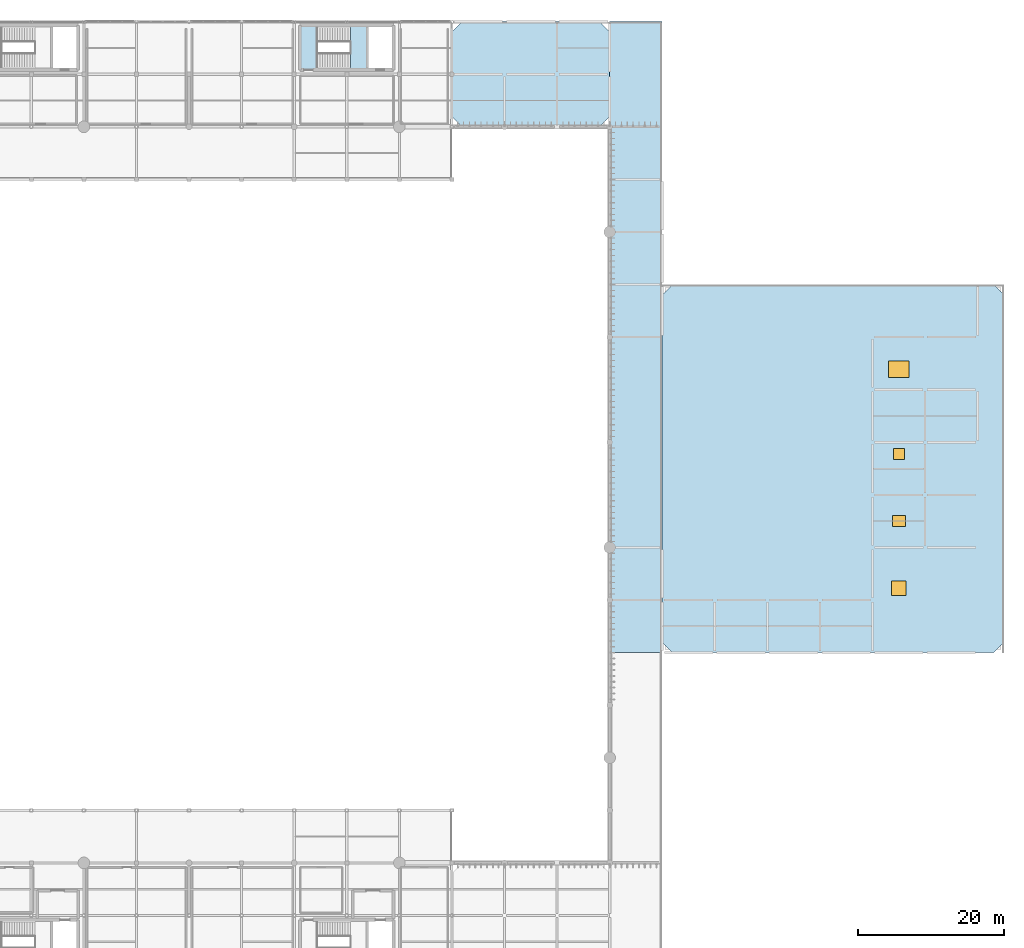
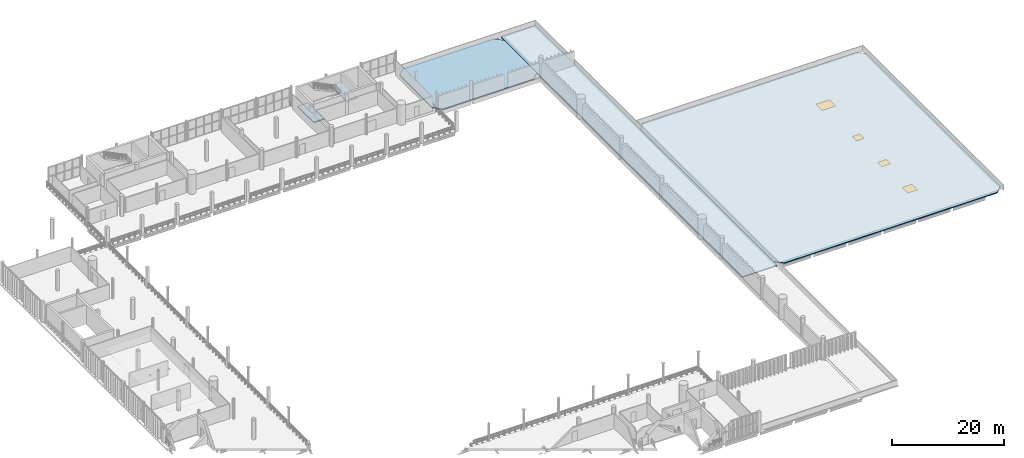
# One storey, part 55 of 81: 5 slabs, 4 windows, 4 openings, 1 element without a shape of its own.
"""IFC4 building model written with IfcOpenShell, lengths in metres."""

from ifc_helpers import new_model, si_unit, direction, frame, origin, origin_2d, place, context, subcontext, project, spatial, polyline, rectangle, outline, extrude, material, layer, layer_set, type_object, element, fill, aggregate, save


model = new_model("IFC4")

# Units and contexts
model_context = context("Model", 3, precision=1e-05, world=origin(), true_north=direction((0.0, 1.0)))
body_context = subcontext(model_context, "Body", "Model", "MODEL_VIEW")
ifc_project = project(units=[si_unit("LENGTHUNIT", "METRE"), si_unit("AREAUNIT", "SQUARE_METRE"), si_unit("VOLUMEUNIT", "CUBIC_METRE"), si_unit("PLANEANGLEUNIT", "RADIAN"), si_unit("MASSUNIT", "GRAM", prefix="KILO")], contexts=[model_context])

# Site, building, storey
site_placement = place(None, origin())
site = spatial("IfcSite", under=ifc_project, at=site_placement, CompositionType="ELEMENT")
building_placement = place(site_placement, origin())
building = spatial("IfcBuilding", under=site, at=building_placement, Name="Qandorah Velis Arena", CompositionType="ELEMENT")
storey_placement = place(building_placement, frame((0.0, 0.0, 18.60009765625)))
storey = spatial("IfcBuildingStorey", under=building, at=storey_placement, Name="L04", CompositionType="ELEMENT", Elevation=18.60009765625)

# Slab
ifc_material_1 = material(Name="Concrete C40/50", Category="concrete")
ifc_layer_1 = layer(ifc_material_1, 0.219970703125)
ifc_layer_set_1 = layer_set([ifc_layer_1], Name="Concrete C40/50")
slab_type_1 = type_object("IfcSlabType", Name="STR-SLB-LND220", PredefinedType="LANDING", material=ifc_layer_set_1)
slab_1_placement = place(storey_placement, frame((0.0, 0.0, -0.22021484375)))
element("IfcSlab", 1, at=slab_1_placement, inside=storey, type_object=slab_type_1, Name="Stair ST4 storey landing slab L04", PredefinedType="LANDING", context=body_context, shape_type="SweptSolid", body=[
    extrude(outline(polyline([(72.949951171875, 123.14990234375), (75.14990234375, 123.14990234375), (75.14990234375, 128.949951171875), (72.949951171875, 128.949951171875), (72.949951171875, 123.14990234375)])), origin(), (0.0, 0.0, 1.0), 0.22021484375),
])

# Stair, slab
stair_type = type_object("IfcStairType", Name="ARC-ST-CORE44", PredefinedType="HALF_TURN_STAIR", material=ifc_material_1)
stair_placement = place(storey_placement, origin())
stair = element("IfcStair", 2, at=stair_placement, inside=storey, type_object=stair_type, Name="Protected exit stair ST4 (L04)", PredefinedType="HALF_TURN_STAIR")
slab_2_placement = place(storey_placement, frame((0.0, 0.0, 1.97998046875)))
slab_2 = element("IfcSlab", 3, at=slab_2_placement, type_object=slab_type_1, Name="ST4 landing 1", PredefinedType="LANDING", context=body_context, shape_type="SweptSolid", body=[
    extrude(outline(polyline([(79.68603515625, 123.14990234375), (81.93603515625, 123.14990234375), (81.93603515625, 128.949951171875), (79.68603515625, 128.949951171875), (79.68603515625, 123.14990234375)])), origin(), (0.0, 0.0, 1.0), 0.219970703125),
])
aggregate(stair, [slab_2])

# Slab, openings, windows
ifc_layer_2 = layer(ifc_material_1, 0.199951171875)
ifc_layer_set_2 = layer_set([ifc_layer_2], Name="Concrete C40/50")
slab_type_2 = type_object("IfcSlabType", Name="STR-SLB-RF200", PredefinedType="ROOF", material=ifc_layer_set_2)
slab_3_placement = place(storey_placement, frame((0.0, 0.0, -0.2001953125)))
slab_3 = element("IfcSlab", 4, at=slab_3_placement, inside=storey, type_object=slab_type_2, Name="Roof slab SLB-ROOF-OASIS", PredefinedType="ROOF", context=body_context, shape_type="SweptSolid", body=[
    extrude(outline(polyline([(123.800048828125, 43.199951171875), (167.800048828125, 43.199951171875), (169.199951171875, 44.60009765625), (169.199951171875, 92.199951171875), (167.800048828125, 93.60009765625), (123.800048828125, 93.60009765625), (122.39990234375, 92.199951171875), (122.39990234375, 44.60009765625), (123.800048828125, 43.199951171875)])), origin(), (0.0, 0.0, 1.0), 0.2001953125),
])
opening_1_placement = place(slab_3_placement, frame((154.800048828125, 52.0, -0.010009765625)))
opening_1 = element("IfcOpeningElement", 5, at=opening_1_placement, cuts=slab_3, Name="Opening SK4", PredefinedType="OPENING", context=body_context, shape_type="SweptSolid", body=[
    extrude(rectangle(XDim=2.0, YDim=2.0, at=origin_2d()), origin(), (0.0, 0.0, 1.0), 0.22021484375),
])
opening_2_placement = place(slab_3_placement, frame((154.800048828125, 61.199951171875, -0.010009765625)))
opening_2 = element("IfcOpeningElement", 6, at=opening_2_placement, cuts=slab_3, Name="Opening SK5", PredefinedType="OPENING", context=body_context, shape_type="SweptSolid", body=[
    extrude(rectangle(XDim=1.800048828125, YDim=1.5, at=origin_2d()), origin(), (0.0, 0.0, 1.0), 0.22021484375),
])
opening_3_placement = place(slab_3_placement, frame((154.800048828125, 70.39990234375, -0.010009765625)))
opening_3 = element("IfcOpeningElement", 7, at=opening_3_placement, cuts=slab_3, Name="Opening SK6", PredefinedType="OPENING", context=body_context, shape_type="SweptSolid", body=[
    extrude(rectangle(XDim=1.5, YDim=1.5, at=origin_2d()), origin(), (0.0, 0.0, 1.0), 0.22021484375),
])
opening_4_placement = place(slab_3_placement, frame((154.800048828125, 82.0, -0.010009765625)))
opening_4 = element("IfcOpeningElement", 8, at=opening_4_placement, cuts=slab_3, Name="Opening SK7", PredefinedType="OPENING", context=body_context, shape_type="SweptSolid", body=[
    extrude(rectangle(XDim=2.800048828125, YDim=2.199951171875, at=origin_2d()), origin(), (0.0, 0.0, 1.0), 0.22021484375),
])
ifc_material_2 = material(Name="Solar-control low-E double glazing", Category="glass")
window_type_1 = type_object("IfcWindowType", Name="ARC-SKY-1500X1500", PartitioningType="SINGLE_PANEL", PredefinedType="SKYLIGHT", material=ifc_material_2)
window_1_placement = place(opening_3_placement, frame((0.0, 0.0, 0.16015625)))
window_1 = element("IfcWindow", 9, at=window_1_placement, inside=storey, type_object=window_type_1, Name="Roof skylight hatch SK-06", OverallHeight=1.5, OverallWidth=1.5, PartitioningType="SINGLE_PANEL", PredefinedType="SKYLIGHT", context=body_context, shape_type="SweptSolid", body=[
    extrude(rectangle(XDim=1.5, YDim=1.5, at=origin_2d()), origin(), (0.0, 0.0, 1.0), 0.050048828125),
])
fill(opening_3, window_1)
window_type_2 = type_object("IfcWindowType", Name="ARC-SKY-1800X1500", PartitioningType="SINGLE_PANEL", PredefinedType="SKYLIGHT", material=ifc_material_2)
window_2_placement = place(opening_2_placement, frame((0.0, 0.0, 0.16015625)))
window_2 = element("IfcWindow", 10, at=window_2_placement, inside=storey, type_object=window_type_2, Name="Roof skylight hatch SK-05", OverallHeight=1.5, OverallWidth=1.800048828125, PartitioningType="SINGLE_PANEL", PredefinedType="SKYLIGHT", context=body_context, shape_type="SweptSolid", body=[
    extrude(rectangle(XDim=1.800048828125, YDim=1.5, at=origin_2d()), origin(), (0.0, 0.0, 1.0), 0.050048828125),
])
fill(opening_2, window_2)
window_type_3 = type_object("IfcWindowType", Name="ARC-SKY-2000X2000", PartitioningType="SINGLE_PANEL", PredefinedType="SKYLIGHT", material=ifc_material_2)
window_3_placement = place(opening_1_placement, frame((0.0, 0.0, 0.16015625)))
window_3 = element("IfcWindow", 11, at=window_3_placement, inside=storey, type_object=window_type_3, Name="Roof skylight hatch SK-04", OverallHeight=2.0, OverallWidth=2.0, PartitioningType="SINGLE_PANEL", PredefinedType="SKYLIGHT", context=body_context, shape_type="SweptSolid", body=[
    extrude(rectangle(XDim=2.0, YDim=2.0, at=origin_2d()), origin(), (0.0, 0.0, 1.0), 0.050048828125),
])
fill(opening_1, window_3)
window_type_4 = type_object("IfcWindowType", Name="ARC-SKY-2800X2200", PartitioningType="SINGLE_PANEL", PredefinedType="SKYLIGHT", material=ifc_material_2)
window_4_placement = place(opening_4_placement, frame((0.0, 0.0, 0.16015625)))
window_4 = element("IfcWindow", 12, at=window_4_placement, inside=storey, type_object=window_type_4, Name="Roof skylight hatch SK-07", OverallHeight=2.199951171875, OverallWidth=2.800048828125, PartitioningType="SINGLE_PANEL", PredefinedType="SKYLIGHT", context=body_context, shape_type="SweptSolid", body=[
    extrude(rectangle(XDim=2.800048828125, YDim=2.199951171875, at=origin_2d()), origin(), (0.0, 0.0, 1.0), 0.050048828125),
])
fill(opening_4, window_4)

# Slabs
ifc_layer_3 = layer(ifc_material_1, 0.219970703125)
ifc_layer_set_3 = layer_set([ifc_layer_3], Name="Concrete C40/50")
slab_type_3 = type_object("IfcSlabType", Name="STR-SLB-RF220", PredefinedType="ROOF", material=ifc_layer_set_3)
slab_4_placement = place(storey_placement, frame((0.0, 0.0, -0.22021484375)))
element("IfcSlab", 13, at=slab_4_placement, inside=storey, type_object=slab_type_3, Name="Roof slab SLB-ROOF-EAST-POD-N", PredefinedType="ROOF", context=body_context, shape_type="SweptSolid", body=[
    extrude(outline(polyline([(115.199951171875, 43.199951171875), (122.39990234375, 43.199951171875), (122.39990234375, 129.60009765625), (115.199951171875, 129.60009765625), (115.199951171875, 43.199951171875)])), origin(), (0.0, 0.0, 1.0), 0.22021484375),
])
slab_5_placement = place(storey_placement, frame((0.0, 0.0, -0.22021484375)))
element("IfcSlab", 14, at=slab_5_placement, inside=storey, type_object=slab_type_3, Name="Roof slab SLB-ROOF-NE-SHLD", PredefinedType="ROOF", context=body_context, shape_type="SweptSolid", body=[
    extrude(outline(polyline([(95.0, 115.199951171875), (113.800048828125, 115.199951171875), (115.199951171875, 116.60009765625), (115.199951171875, 128.199951171875), (113.800048828125, 129.60009765625), (95.0, 129.60009765625), (93.60009765625, 128.199951171875), (93.60009765625, 116.60009765625), (95.0, 115.199951171875)])), origin(), (0.0, 0.0, 1.0), 0.22021484375),
])

save(model, "model.ifc")
